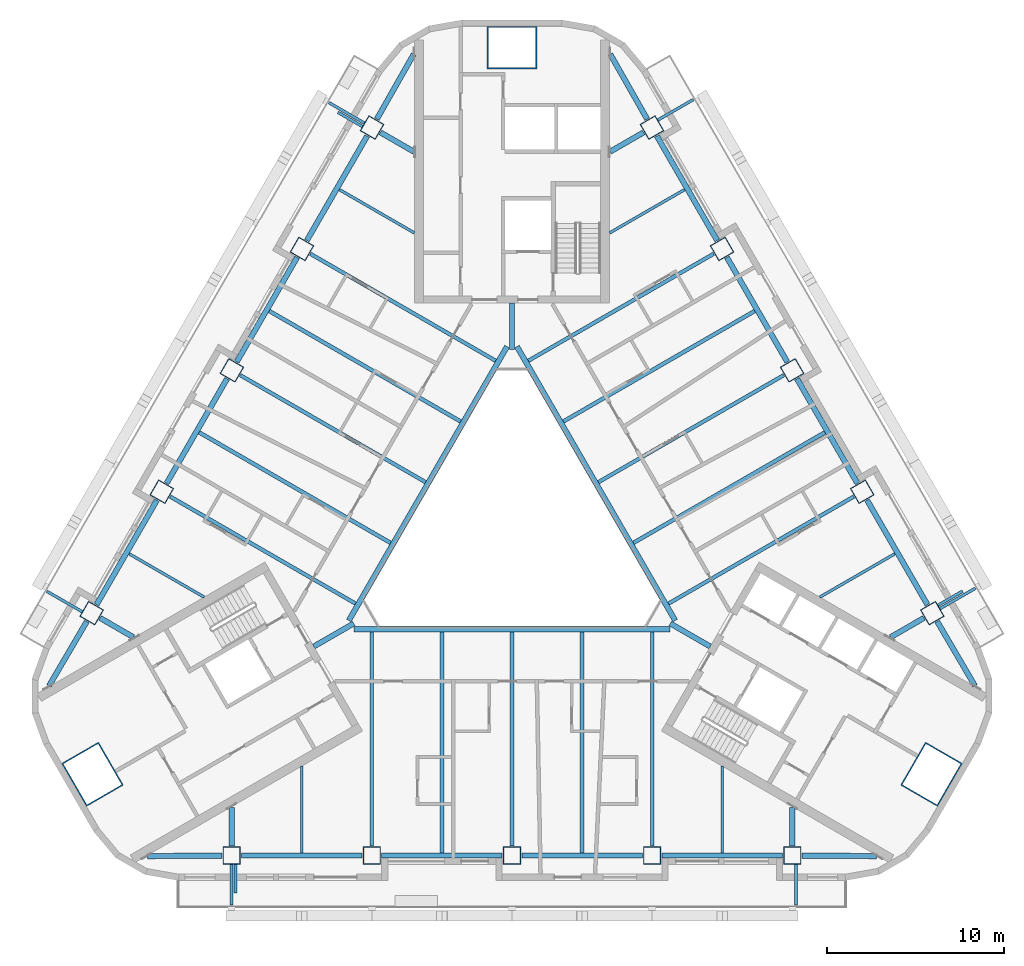
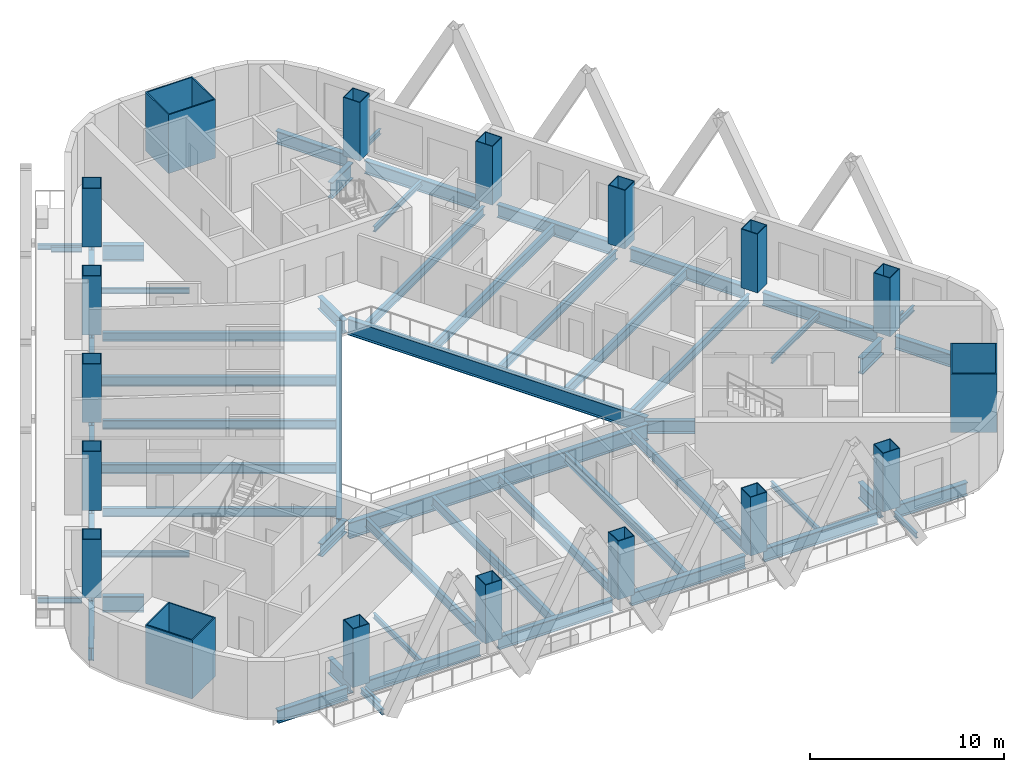
# One storey, part 1 of 17: 36 beams, 24 members, 18 columns.
"""IFC4 building model written with IfcOpenShell, lengths in metres."""

from ifc_helpers import new_model, si_unit, direction, frame, origin, origin_2d, place, context, subcontext, project, spatial, rectangle, hollow_rectangle, i_section, extrude, material, material_profile, profile_set, type_object, element, save


model = new_model("IFC4")

# Units and contexts
model_context = context("Model", 3, precision=1e-05, world=origin(), true_north=direction((0.0, 1.0)))
body_context = subcontext(model_context, "Body", "Model", "MODEL_VIEW")
ifc_project = project(units=[si_unit("LENGTHUNIT", "METRE"), si_unit("AREAUNIT", "SQUARE_METRE"), si_unit("VOLUMEUNIT", "CUBIC_METRE"), si_unit("PLANEANGLEUNIT", "RADIAN"), si_unit("MASSUNIT", "GRAM", prefix="KILO")], contexts=[model_context])

# Site, building, storey
site_placement = place(None, origin())
site = spatial("IfcSite", under=ifc_project, at=site_placement, CompositionType="ELEMENT")
building_placement = place(site_placement, origin())
building = spatial("IfcBuilding", under=site, at=building_placement, Name="Apuvela Tower Hotel", CompositionType="ELEMENT")
storey_placement = place(building_placement, frame((0.0, 0.0, 46.5)))
storey = spatial("IfcBuildingStorey", under=building, at=storey_placement, Name="L08", CompositionType="ELEMENT", Elevation=46.5)

# Columns
ifc_material_1 = material(Name="Steel S460", Category="steel")
ifc_material_profile_1 = material_profile(ifc_material_1, hollow_rectangle(XDim=2.800048828125, YDim=2.39990234375, WallThickness=0.070068359375, at=origin_2d()), Name="BOX 2800x2400x70")
ifc_material_2 = material(Name="Concrete C80/95", Category="concrete")
ifc_material_profile_2 = material_profile(ifc_material_2, rectangle(XDim=2.659912109375, YDim=2.260009765625, at=origin_2d()), Name="Concrete C80/95 infill")
ifc_profile_set_1 = profile_set([ifc_material_profile_1, ifc_material_profile_2], Name="Steel S460")
column_type_1 = type_object("IfcColumnType", Name="STR-MC mega column BOX 2800x2400x70", PredefinedType="COLUMN", material=ifc_profile_set_1)
for number, where, z_axis, x_axis, name in (
    (1, (0.0, 27.300048828125, 0.0), (0.0, 0.0, 1.0), (1.0, 0.0, 0.0), "Mega column MC2 N"),
    (2, (-23.642578125, -13.64990234375, 0.0), (0.0, 0.0, 1.0), (-0.5, 0.866025403784, 0.0), "Mega column MC2 SW"),
    (3, (23.642578125, -13.64990234375, 0.0), (0.0, 0.0, 1.0), (0.5, 0.866025403784, 0.0), "Mega column MC2 SE"),
):
    element("IfcColumn", number, at=place(storey_placement, frame(where, z_axis=z_axis, x_axis=x_axis)), inside=storey, type_object=column_type_1, Name=name, PredefinedType="COLUMN", context=body_context, shape_type="SweptSolid", body=[
        extrude(hollow_rectangle(XDim=2.800048828125, YDim=2.39990234375, WallThickness=0.070068359375, at=origin_2d()), origin(), (0.0, 0.0, 1.0), 3.699951171875),
    ])
ifc_material_profile_3 = material_profile(ifc_material_1, hollow_rectangle(XDim=1.0, YDim=1.0, WallThickness=0.044921875, at=origin_2d()), Name="BOX 1000x1000x45")
ifc_material_profile_4 = material_profile(ifc_material_2, rectangle(XDim=0.909912109375, YDim=0.909912109375, at=origin_2d()), Name="Concrete C80/95 infill")
ifc_profile_set_2 = profile_set([ifc_material_profile_3, ifc_material_profile_4], Name="Steel S460")
column_type_2 = type_object("IfcColumnType", Name="STR-PC perimeter column BOX 1000x1000x45", PredefinedType="COLUMN", material=ifc_profile_set_2)
for number, where, z_axis, x_axis, name in (
    (4, (-15.800048828125, -18.22998046875, 0.0), (0.0, 0.0, 1.0), (-1.0, 0.0, 0.0), "Perimeter column C2 S1"),
    (5, (-7.89990234375, -18.22998046875, 0.0), (0.0, 0.0, 1.0), (-1.0, 0.0, 0.0), "Perimeter column C2 S2"),
    (6, (0.0, -18.22998046875, 0.0), (0.0, 0.0, 1.0), (-1.0, 0.0, 0.0), "Perimeter column C2 S3"),
    (7, (7.89990234375, -18.22998046875, 0.0), (0.0, 0.0, 1.0), (-1.0, 0.0, 0.0), "Perimeter column C2 S4"),
    (8, (15.800048828125, -18.22998046875, 0.0), (0.0, 0.0, 1.0), (-1.0, 0.0, 0.0), "Perimeter column C2 S5"),
    (9, (23.6875, -4.568115234375, 0.0), (0.0, 0.0, 1.0), (-0.5, 0.866025403784, 0.0), "Perimeter column C2 NE1"),
    (10, (19.737548828125, 2.2734375, 0.0), (0.0, 0.0, 1.0), (-0.5, 0.866025403784, 0.0), "Perimeter column C2 NE2"),
    (11, (15.78759765625, 9.114990234375, 0.0), (0.0, 0.0, 1.0), (-0.5, 0.866025403784, 0.0), "Perimeter column C2 NE3"),
    (12, (11.837646484375, 15.95654296875, 0.0), (0.0, 0.0, 1.0), (-0.5, 0.866025403784, 0.0), "Perimeter column C2 NE4"),
    (13, (7.8876953125, 22.798095703125, 0.0), (0.0, 0.0, 1.0), (-0.5, 0.866025403784, 0.0), "Perimeter column C2 NE5"),
    (14, (-7.8876953125, 22.798095703125, 0.0), (0.0, 0.0, 1.0), (0.5, 0.866025403784, 0.0), "Perimeter column C2 NW1"),
    (15, (-11.837646484375, 15.95654296875, 0.0), (0.0, 0.0, 1.0), (0.5, 0.866025403784, 0.0), "Perimeter column C2 NW2"),
    (16, (-15.78759765625, 9.114990234375, 0.0), (0.0, 0.0, 1.0), (0.5, 0.866025403784, 0.0), "Perimeter column C2 NW3"),
    (17, (-19.737548828125, 2.2734375, 0.0), (0.0, 0.0, 1.0), (0.5, 0.866025403784, 0.0), "Perimeter column C2 NW4"),
    (18, (-23.6875, -4.568115234375, 0.0), (0.0, 0.0, 1.0), (0.5, 0.866025403784, 0.0), "Perimeter column C2 NW5"),
):
    element("IfcColumn", number, at=place(storey_placement, frame(where, z_axis=z_axis, x_axis=x_axis)), inside=storey, type_object=column_type_2, Name=name, PredefinedType="COLUMN", context=body_context, shape_type="SweptSolid", body=[
        extrude(hollow_rectangle(XDim=1.0, YDim=1.0, WallThickness=0.044921875, at=origin_2d()), origin(), (0.0, 0.0, 1.0), 3.699951171875),
    ])

# Beams
ifc_material_3 = material(Name="Steel S355", Category="steel")
ifc_material_profile_5 = material_profile(ifc_material_3, i_section(OverallWidth=0.159912109375, OverallDepth=0.330078125, WebThickness=0.007568359375, FlangeThickness=0.011474609375, at=origin_2d()), Name="IPE 330")
ifc_profile_set_3 = profile_set([ifc_material_profile_5], Name="Steel S355")
beam_type_1 = type_object("IfcBeamType", Name="ENV-BALCONY-BEAM-IPE330", PredefinedType="BEAM", material=ifc_profile_set_3)
beam_1_placement = place(storey_placement, frame((-15.800048828125, -18.72998046875, -0.31494140625), z_axis=(0.0, -1.0, 0.0), x_axis=(1.0, 0.0, 0.0)))
element("IfcBeam", 19, at=beam_1_placement, inside=storey, type_object=beam_type_1, Name="Balcony cantilever beam S1 L08", PredefinedType="BEAM", context=body_context, shape_type="SweptSolid", body=[
    extrude(i_section(OverallWidth=0.159912109375, OverallDepth=0.330078125, WebThickness=0.007568359375, FlangeThickness=0.011474609375, at=origin_2d()), origin(), (0.0, 0.0, 1.0), 2.300048828125),
])
beam_2_placement = place(storey_placement, frame((-15.580078125, -18.72998046875, -0.31494140625), z_axis=(0.0, -1.0, 0.0), x_axis=(1.0, 0.0, 0.0)))
element("IfcBeam", 20, at=beam_2_placement, inside=storey, type_object=beam_type_1, Name="Balcony cantilever beam S2 L08", PredefinedType="BEAM", context=body_context, shape_type="SweptSolid", body=[
    extrude(i_section(OverallWidth=0.159912109375, OverallDepth=0.330078125, WebThickness=0.007568359375, FlangeThickness=0.011474609375, at=origin_2d()), origin(), (0.0, 0.0, 1.0), 1.60009765625),
])
for number, where, z_axis, x_axis, name in (
    (21, (16.0, -18.72998046875, -0.31494140625), (0.0, -1.0, 0.0), (1.0, 0.0, 0.0), "Balcony cantilever beam S3 L08"),
    (22, (24.12060546875, -4.318115234375, -0.31494140625), (0.866053019151, 0.499952165731, 0.0), (-0.499952165731, 0.866053019151, 0.0), "Balcony cantilever beam NE1 L08"),
):
    element("IfcBeam", number, at=place(storey_placement, frame(where, z_axis=z_axis, x_axis=x_axis)), inside=storey, type_object=beam_type_1, Name=name, PredefinedType="BEAM", context=body_context, shape_type="SweptSolid", body=[
        extrude(i_section(OverallWidth=0.159912109375, OverallDepth=0.330078125, WebThickness=0.007568359375, FlangeThickness=0.011474609375, at=origin_2d()), origin(), (0.0, 0.0, 1.0), 2.300048828125),
    ])
beam_3_placement = place(storey_placement, frame((24.0107421875, -4.127685546875, -0.31494140625), z_axis=(0.865989903783, 0.500061482766, 0.0), x_axis=(-0.500061482766, 0.865989903783, 0.0)))
element("IfcBeam", 23, at=beam_3_placement, inside=storey, type_object=beam_type_1, Name="Balcony cantilever beam NE2 L08", PredefinedType="BEAM", context=body_context, shape_type="SweptSolid", body=[
    extrude(i_section(OverallWidth=0.159912109375, OverallDepth=0.330078125, WebThickness=0.007568359375, FlangeThickness=0.011474609375, at=origin_2d()), origin(), (0.0, 0.0, 1.0), 1.599853515625),
])
beam_4_placement = place(storey_placement, frame((8.220703125, 23.221435546875, -0.31494140625), z_axis=(0.86602648383, 0.499998129301, 0.0), x_axis=(-0.499998129301, 0.86602648383, 0.0)))
element("IfcBeam", 24, at=beam_4_placement, inside=storey, type_object=beam_type_1, Name="Balcony cantilever beam NE3 L08", PredefinedType="BEAM", context=body_context, shape_type="SweptSolid", body=[
    extrude(i_section(OverallWidth=0.159912109375, OverallDepth=0.330078125, WebThickness=0.007568359375, FlangeThickness=0.011474609375, at=origin_2d()), origin(), (0.0, 0.0, 1.0), 2.2998046875),
])
beam_5_placement = place(storey_placement, frame((-8.32080078125, 23.048095703125, -0.31494140625), z_axis=(-0.865980515519, 0.500077740698, 0.0), x_axis=(-0.500077740698, -0.865980515519, 0.0)))
element("IfcBeam", 25, at=beam_5_placement, inside=storey, type_object=beam_type_1, Name="Balcony cantilever beam NW1 L08", PredefinedType="BEAM", context=body_context, shape_type="SweptSolid", body=[
    extrude(i_section(OverallWidth=0.159912109375, OverallDepth=0.330078125, WebThickness=0.007568359375, FlangeThickness=0.011474609375, at=origin_2d()), origin(), (0.0, 0.0, 1.0), 2.300048828125),
])
beam_6_placement = place(storey_placement, frame((-8.4306640625, 22.857666015625, -0.31494140625), z_axis=(-0.866028054938, 0.499995408039, 0.0), x_axis=(-0.499995408039, -0.866028054938, 0.0)))
element("IfcBeam", 26, at=beam_6_placement, inside=storey, type_object=beam_type_1, Name="Balcony cantilever beam NW2 L08", PredefinedType="BEAM", context=body_context, shape_type="SweptSolid", body=[
    extrude(i_section(OverallWidth=0.159912109375, OverallDepth=0.330078125, WebThickness=0.007568359375, FlangeThickness=0.011474609375, at=origin_2d()), origin(), (0.0, 0.0, 1.0), 1.60009765625),
])
beam_7_placement = place(storey_placement, frame((-24.220703125, -4.491455078125, -0.31494140625), z_axis=(-0.865980515519, 0.500077740698, 0.0), x_axis=(-0.500077740698, -0.865980515519, 0.0)))
element("IfcBeam", 27, at=beam_7_placement, inside=storey, type_object=beam_type_1, Name="Balcony cantilever beam NW3 L08", PredefinedType="BEAM", context=body_context, shape_type="SweptSolid", body=[
    extrude(i_section(OverallWidth=0.159912109375, OverallDepth=0.330078125, WebThickness=0.007568359375, FlangeThickness=0.011474609375, at=origin_2d()), origin(), (0.0, 0.0, 1.0), 2.300048828125),
])
ifc_material_profile_6 = material_profile(ifc_material_3, i_section(OverallWidth=0.159912109375, OverallDepth=0.330078125, WebThickness=0.007568359375, FlangeThickness=0.011474609375, at=origin_2d()), Name="IPE 330")
ifc_profile_set_4 = profile_set([ifc_material_profile_6], Name="Steel S355")
beam_type_2 = type_object("IfcBeamType", Name="STR-B floor beam IPE 330", PredefinedType="BEAM", material=ifc_profile_set_4)
for number, where, z_axis, x_axis, name in (
    (28, (21.581298828125, -1.22314453125, -0.31494140625), (-0.866005010506, -0.500035320531, 0.0), (0.500035320531, -0.866005010506, 0.0), "Floor beam B1 NE2"),
    (29, (9.7314453125, 19.3017578125, -0.31494140625), (-0.866017503598, -0.500013683274, 0.0), (0.500013683274, -0.866017503598, 0.0), "Floor beam B1 NE8"),
    (30, (-9.7314453125, 19.3017578125, -0.31494140625), (0.866017503598, -0.500013683274, 0.0), (0.500013683274, 0.866017503598, 0.0), "Floor beam B1 NW2"),
    (31, (-21.581298828125, -1.22314453125, -0.31494140625), (0.866005010506, -0.500035320531, 0.0), (0.500035320531, 0.866005010506, 0.0), "Floor beam B1 NW8"),
):
    element("IfcBeam", number, at=place(storey_placement, frame(where, z_axis=z_axis, x_axis=x_axis)), inside=storey, type_object=beam_type_2, Name=name, PredefinedType="BEAM", context=body_context, shape_type="SweptSolid", body=[
        extrude(i_section(OverallWidth=0.159912109375, OverallDepth=0.330078125, WebThickness=0.007568359375, FlangeThickness=0.011474609375, at=origin_2d()), origin(), (0.0, 0.0, 1.0), 4.885986328125),
    ])
for number, where, z_axis, x_axis, name in (
    (32, (-11.85009765625, -18.07861328125, -0.31494140625), (0.0, 1.0, 0.0), (-1.0, 0.0, 0.0), "Floor beam B1 S2"),
    (33, (11.85009765625, -18.07861328125, -0.31494140625), (0.0, 1.0, 0.0), (-1.0, 0.0, 0.0), "Floor beam B1 S8"),
):
    element("IfcBeam", number, at=place(storey_placement, frame(where, z_axis=z_axis, x_axis=x_axis)), inside=storey, type_object=beam_type_2, Name=name, PredefinedType="BEAM", context=body_context, shape_type="SweptSolid", body=[
        extrude(i_section(OverallWidth=0.159912109375, OverallDepth=0.330078125, WebThickness=0.007568359375, FlangeThickness=0.011474609375, at=origin_2d()), origin(), (0.0, 0.0, 1.0), 4.88623046875),
    ])
ifc_material_profile_7 = material_profile(ifc_material_3, i_section(OverallWidth=0.2099609375, OverallDepth=0.550048828125, WebThickness=0.010986328125, FlangeThickness=0.01708984375, at=origin_2d()), Name="IPE 550")
ifc_profile_set_5 = profile_set([ifc_material_profile_7], Name="Steel S355")
beam_type_3 = type_object("IfcBeamType", Name="STR-B floor beam IPE 550", PredefinedType="BEAM", material=ifc_profile_set_5)
for number, where, z_axis, x_axis, name in (
    (34, (19.26123046875, 1.998291015625, -0.425048828125), (-0.866029136187, -0.499993535233, 0.0), (0.499993535233, -0.866029136187, 0.0), "Floor beam B7 NE3"),
    (35, (15.311279296875, 8.840087890625, -0.425048828125), (-0.866020368762, -0.500008720812, 0.0), (0.500008720812, -0.866020368762, 0.0), "Floor beam B7 NE5"),
):
    element("IfcBeam", number, at=place(storey_placement, frame(where, z_axis=z_axis, x_axis=x_axis)), inside=storey, type_object=beam_type_3, Name=name, PredefinedType="BEAM", context=body_context, shape_type="SweptSolid", body=[
        extrude(i_section(OverallWidth=0.2099609375, OverallDepth=0.550048828125, WebThickness=0.010986328125, FlangeThickness=0.01708984375, at=origin_2d()), origin(), (0.0, 0.0, 1.0), 12.057861328125),
    ])
for number, where, z_axis, x_axis, name in (
    (36, (11.361328125, 15.681640625, -0.425048828125), (-0.866025430648, -0.499999953472, 0.0), (0.499999953472, -0.866025430648, 0.0), "Floor beam B7 NE7"),
    (37, (-11.361328125, 15.681640625, -0.425048828125), (0.866025430648, -0.499999953472, 0.0), (0.499999953472, 0.866025430648, 0.0), "Floor beam B7 NW3"),
):
    element("IfcBeam", number, at=place(storey_placement, frame(where, z_axis=z_axis, x_axis=x_axis)), inside=storey, type_object=beam_type_3, Name=name, PredefinedType="BEAM", context=body_context, shape_type="SweptSolid", body=[
        extrude(i_section(OverallWidth=0.2099609375, OverallDepth=0.550048828125, WebThickness=0.010986328125, FlangeThickness=0.01708984375, at=origin_2d()), origin(), (0.0, 0.0, 1.0), 12.05810546875),
    ])
for number, where, z_axis, x_axis, name in (
    (38, (-15.311279296875, 8.840087890625, -0.425048828125), (0.866020368762, -0.500008720812, 0.0), (0.500008720812, 0.866020368762, 0.0), "Floor beam B7 NW5"),
    (39, (-19.26123046875, 1.998291015625, -0.425048828125), (0.866029136187, -0.499993535233, 0.0), (0.499993535233, 0.866029136187, 0.0), "Floor beam B7 NW7"),
    (40, (-7.89990234375, -17.679931640625, -0.425048828125), (0.0, 1.0, 0.0), (-1.0, 0.0, 0.0), "Floor beam B7 S3"),
    (41, (0.0, -17.679931640625, -0.425048828125), (0.0, 1.0, 0.0), (-1.0, 0.0, 0.0), "Floor beam B7 S5"),
    (42, (7.89990234375, -17.679931640625, -0.425048828125), (0.0, 1.0, 0.0), (-1.0, 0.0, 0.0), "Floor beam B7 S7"),
):
    element("IfcBeam", number, at=place(storey_placement, frame(where, z_axis=z_axis, x_axis=x_axis)), inside=storey, type_object=beam_type_3, Name=name, PredefinedType="BEAM", context=body_context, shape_type="SweptSolid", body=[
        extrude(i_section(OverallWidth=0.2099609375, OverallDepth=0.550048828125, WebThickness=0.010986328125, FlangeThickness=0.01708984375, at=origin_2d()), origin(), (0.0, 0.0, 1.0), 12.057861328125),
    ])
ifc_material_profile_8 = material_profile(ifc_material_3, i_section(OverallWidth=0.219970703125, OverallDepth=0.60009765625, WebThickness=0.011962890625, FlangeThickness=0.01904296875, at=origin_2d()), Name="IPE 600")
ifc_profile_set_6 = profile_set([ifc_material_profile_8], Name="Steel S355")
beam_type_4 = type_object("IfcBeamType", Name="STR-B floor beam IPE 600", PredefinedType="BEAM", material=ifc_profile_set_6)
for number, where, z_axis, x_axis, name in (
    (43, (17.63134765625, 5.618408203125, -0.449951171875), (-0.866023697878, -0.500002954704, 0.0), (0.500002954704, -0.866023697878, 0.0), "Floor beam B8 NE4"),
    (44, (13.681396484375, 12.460205078125, -0.449951171875), (-0.866015210969, -0.500017654059, 0.0), (0.500017654059, -0.866015210969, 0.0), "Floor beam B8 NE6"),
    (45, (-13.681396484375, 12.460205078125, -0.449951171875), (0.866015210969, -0.500017654059, 0.0), (0.500017654059, 0.866015210969, 0.0), "Floor beam B8 NW4"),
    (46, (-17.63134765625, 5.618408203125, -0.449951171875), (0.866023697878, -0.500002954704, 0.0), (0.500002954704, 0.866023697878, 0.0), "Floor beam B8 NW6"),
    (47, (-3.949951171875, -18.07861328125, -0.449951171875), (0.0, 1.0, 0.0), (-1.0, 0.0, 0.0), "Floor beam B8 S4"),
    (48, (3.949951171875, -18.07861328125, -0.449951171875), (0.0, 1.0, 0.0), (-1.0, 0.0, 0.0), "Floor beam B8 S6"),
):
    element("IfcBeam", number, at=place(storey_placement, frame(where, z_axis=z_axis, x_axis=x_axis)), inside=storey, type_object=beam_type_4, Name=name, PredefinedType="BEAM", context=body_context, shape_type="SweptSolid", body=[
        extrude(i_section(OverallWidth=0.219970703125, OverallDepth=0.60009765625, WebThickness=0.011962890625, FlangeThickness=0.01904296875, at=origin_2d()), origin(), (0.0, 0.0, 1.0), 12.45654296875),
    ])
ifc_material_profile_9 = material_profile(ifc_material_3, i_section(OverallWidth=0.302001953125, OverallDepth=1.008056640625, WebThickness=0.02099609375, FlangeThickness=0.0400390625, at=origin_2d()), Name="HE 1000 M")
ifc_profile_set_7 = profile_set([ifc_material_profile_9], Name="Steel S355")
beam_type_5 = type_object("IfcBeamType", Name="STR-G atrium ring girder HE 1000 M", PredefinedType="BEAM", material=ifc_profile_set_7)
for number, where, z_axis, x_axis, name in (
    (49, (-0.28076171875, 10.455810546875, -0.654052734375), (-0.500000611842, -0.866025050537, 0.0), (0.866025050537, -0.500000611842, 0.0), "Atrium ring girder G1 N-SW"),
    (50, (-8.91455078125, -5.470947265625, -0.654052734375), (1.0, 0.0, 0.0), (0.0, 1.0, 0.0), "Atrium ring girder G1 SW-SE"),
    (51, (9.1953125, -4.984619140625, -0.654052734375), (-0.500000611842, 0.866025050537, 0.0), (-0.866025050537, -0.500000611842, 0.0), "Atrium ring girder G1 SE-N"),
):
    element("IfcBeam", number, at=place(storey_placement, frame(where, z_axis=z_axis, x_axis=x_axis)), inside=storey, type_object=beam_type_5, Name=name, PredefinedType="BEAM", context=body_context, shape_type="SweptSolid", body=[
        extrude(i_section(OverallWidth=0.302001953125, OverallDepth=1.008056640625, WebThickness=0.02099609375, FlangeThickness=0.0400390625, at=origin_2d()), origin(), (0.0, 0.0, 1.0), 17.8291015625),
    ])
ifc_material_profile_10 = material_profile(ifc_material_3, i_section(OverallWidth=0.300048828125, OverallDepth=0.800048828125, WebThickness=0.017578125, FlangeThickness=0.032958984375, at=origin_2d()), Name="HE 800 B")
ifc_profile_set_8 = profile_set([ifc_material_profile_10], Name="Steel S355")
beam_type_6 = type_object("IfcBeamType", Name="STR-GT core tie beam HE 800 B", PredefinedType="BEAM", material=ifc_profile_set_8)
for number, where, z_axis, x_axis, name in (
    (52, (0.0, 12.89990234375, -0.550048828125), (0.0, -1.0, 0.0), (1.0, 0.0, 0.0), "Core tie beam GT1 N"),
    (53, (-11.171630859375, -6.449951171875, -0.550048828125), (0.865997922154, 0.500047596559, 0.0), (-0.500047596559, 0.865997922154, 0.0), "Core tie beam GT1 SW"),
    (54, (11.171630859375, -6.449951171875, -0.550048828125), (-0.865997922154, 0.500047596559, 0.0), (-0.500047596559, -0.865997922154, 0.0), "Core tie beam GT1 SE"),
):
    element("IfcBeam", number, at=place(storey_placement, frame(where, z_axis=z_axis, x_axis=x_axis)), inside=storey, type_object=beam_type_6, Name=name, PredefinedType="BEAM", context=body_context, shape_type="SweptSolid", body=[
        extrude(i_section(OverallWidth=0.300048828125, OverallDepth=0.800048828125, WebThickness=0.017578125, FlangeThickness=0.032958984375, at=origin_2d()), origin(), (0.0, 0.0, 1.0), 2.599853515625),
    ])

# Members
ifc_material_profile_11 = material_profile(ifc_material_3, i_section(OverallWidth=0.302978515625, OverallDepth=0.81396484375, WebThickness=0.02099609375, FlangeThickness=0.0400390625, at=origin_2d()), Name="HE 800 M")
ifc_profile_set_9 = profile_set([ifc_material_profile_11], Name="Steel S355")
member_type_1 = type_object("IfcMemberType", Name="STR-T0 belt truss chord HE 800 M", PredefinedType="CHORD", material=ifc_profile_set_9)
for number, where, z_axis, x_axis, name in (
    (55, (-15.25, -18.22998046875, -0.556884765625), (1.0, 0.0, 0.0), (0.0, 1.0, 0.0), "Belt chord BT1 S1"),
    (56, (-7.35009765625, -18.22998046875, -0.556884765625), (1.0, 0.0, 0.0), (0.0, 1.0, 0.0), "Belt chord BT1 S2"),
    (57, (0.550048828125, -18.22998046875, -0.556884765625), (1.0, 0.0, 0.0), (0.0, 1.0, 0.0), "Belt chord BT1 S3"),
    (58, (8.449951171875, -18.22998046875, -0.556884765625), (1.0, 0.0, 0.0), (0.0, 1.0, 0.0), "Belt chord BT1 S4"),
):
    element("IfcMember", number, at=place(storey_placement, frame(where, z_axis=z_axis, x_axis=x_axis)), inside=storey, type_object=member_type_1, Name=name, PredefinedType="CHORD", context=body_context, shape_type="SweptSolid", body=[
        extrude(i_section(OverallWidth=0.302978515625, OverallDepth=0.81396484375, WebThickness=0.02099609375, FlangeThickness=0.0400390625, at=origin_2d()), origin(), (0.0, 0.0, 1.0), 6.800048828125),
    ])
member_1_placement = place(storey_placement, frame((23.41259765625, -4.091796875, -0.556884765625), z_axis=(-0.499992841449, 0.866029536736, 0.0), x_axis=(-0.866029536736, -0.499992841449, 0.0)))
element("IfcMember", 59, at=member_1_placement, inside=storey, type_object=member_type_1, Name="Belt chord BT1 NE1", PredefinedType="CHORD", context=body_context, shape_type="SweptSolid", body=[
    extrude(i_section(OverallWidth=0.302978515625, OverallDepth=0.81396484375, WebThickness=0.02099609375, FlangeThickness=0.0400390625, at=origin_2d()), origin(), (0.0, 0.0, 1.0), 6.7998046875),
])
for number, where, z_axis, x_axis, name in (
    (60, (19.462646484375, 2.749755859375, -0.556884765625), (-0.500019768644, 0.866013990052, 0.0), (-0.866013990052, -0.500019768644, 0.0), "Belt chord BT1 NE2"),
    (61, (15.5126953125, 9.59130859375, -0.556884765625), (-0.500019768644, 0.866013990052, 0.0), (-0.866013990052, -0.500019768644, 0.0), "Belt chord BT1 NE3"),
    (62, (11.5625, 16.432861328125, -0.556884765625), (-0.499977295307, 0.866038511948, 0.0), (-0.866038511948, -0.499977295307, 0.0), "Belt chord BT1 NE4"),
    (63, (-8.16259765625, 22.322021484375, -0.556884765625), (-0.499977295307, -0.866038511948, 0.0), (0.866038511948, -0.499977295307, 0.0), "Belt chord BT1 NW1"),
    (64, (-12.112548828125, 15.480224609375, -0.556884765625), (-0.500019768644, -0.866013990052, 0.0), (0.866013990052, -0.500019768644, 0.0), "Belt chord BT1 NW2"),
    (65, (-16.0625, 8.638671875, -0.556884765625), (-0.500019768644, -0.866013990052, 0.0), (0.866013990052, -0.500019768644, 0.0), "Belt chord BT1 NW3"),
):
    element("IfcMember", number, at=place(storey_placement, frame(where, z_axis=z_axis, x_axis=x_axis)), inside=storey, type_object=member_type_1, Name=name, PredefinedType="CHORD", context=body_context, shape_type="SweptSolid", body=[
        extrude(i_section(OverallWidth=0.302978515625, OverallDepth=0.81396484375, WebThickness=0.02099609375, FlangeThickness=0.0400390625, at=origin_2d()), origin(), (0.0, 0.0, 1.0), 6.800048828125),
    ])
member_2_placement = place(storey_placement, frame((-20.0126953125, 1.797119140625, -0.556884765625), z_axis=(-0.499992841449, -0.866029536736, 0.0), x_axis=(0.866029536736, -0.499992841449, 0.0)))
element("IfcMember", 66, at=member_2_placement, inside=storey, type_object=member_type_1, Name="Belt chord BT1 NW4", PredefinedType="CHORD", context=body_context, shape_type="SweptSolid", body=[
    extrude(i_section(OverallWidth=0.302978515625, OverallDepth=0.81396484375, WebThickness=0.02099609375, FlangeThickness=0.0400390625, at=origin_2d()), origin(), (0.0, 0.0, 1.0), 6.7998046875),
])
for number, where, z_axis, x_axis, name in (
    (67, (-16.35009765625, -18.23388671875, -0.556884765625), (-0.999976495178, -0.006856317631, 0.0), (0.006856317631, -0.999976495178, 0.0), "Belt chord BT1 S1-SW"),
    (68, (16.35009765625, -18.23388671875, -0.556884765625), (0.999976495178, -0.006856317631, 0.0), (0.006856317631, 0.999976495178, 0.0), "Belt chord BT1 S5-SE"),
):
    element("IfcMember", number, at=place(storey_placement, frame(where, z_axis=z_axis, x_axis=x_axis)), inside=storey, type_object=member_type_1, Name=name, PredefinedType="CHORD", context=body_context, shape_type="SweptSolid", body=[
        extrude(i_section(OverallWidth=0.302978515625, OverallDepth=0.81396484375, WebThickness=0.02099609375, FlangeThickness=0.0400390625, at=origin_2d()), origin(), (0.0, 0.0, 1.0), 4.20166015625),
    ])
for number, where, z_axis, x_axis, name in (
    (69, (23.9658203125, -5.04248046875, -0.556884765625), (0.505943145698, -0.862566828322, 0.0), (0.862566828322, 0.505943145698, 0.0), "Belt chord BT1 NE1-SE"),
    (70, (7.615966796875, 23.2763671875, -0.556884765625), (-0.494041350901, 0.869438407019, 0.0), (-0.869438407019, -0.494041350901, 0.0), "Belt chord BT1 NE5-N"),
    (71, (-7.615966796875, 23.2763671875, -0.556884765625), (0.494041350901, 0.869438407019, 0.0), (-0.869438407019, 0.494041350901, 0.0), "Belt chord BT1 NW1-N"),
    (72, (-23.9658203125, -5.04248046875, -0.556884765625), (-0.505943145698, -0.862566828322, 0.0), (0.862566828322, -0.505943145698, 0.0), "Belt chord BT1 NW5-SW"),
):
    element("IfcMember", number, at=place(storey_placement, frame(where, z_axis=z_axis, x_axis=x_axis)), inside=storey, type_object=member_type_1, Name=name, PredefinedType="CHORD", context=body_context, shape_type="SweptSolid", body=[
        extrude(i_section(OverallWidth=0.302978515625, OverallDepth=0.81396484375, WebThickness=0.02099609375, FlangeThickness=0.0400390625, at=origin_2d()), origin(), (0.0, 0.0, 1.0), 4.201904296875),
    ])
ifc_material_profile_12 = material_profile(ifc_material_3, i_section(OverallWidth=0.302001953125, OverallDepth=1.008056640625, WebThickness=0.02099609375, FlangeThickness=0.0400390625, at=origin_2d()), Name="HE 1000 M")
ifc_profile_set_10 = profile_set([ifc_material_profile_12], Name="Steel S355")
member_type_2 = type_object("IfcMemberType", Name="STR-T0 outrigger truss chord HE 1000 M", PredefinedType="CHORD", material=ifc_profile_set_10)
member_3_placement = place(storey_placement, frame((23.211181640625, -4.84326171875, -0.654052734375), z_axis=(-0.866016227542, -0.500015893381, 0.0), x_axis=(0.500015893381, -0.866016227542, 0.0)))
element("IfcMember", 73, at=member_3_placement, inside=storey, type_object=member_type_2, Name="Outrigger chord OC1 NE1", PredefinedType="CHORD", context=body_context, shape_type="SweptSolid", body=[
    extrude(i_section(OverallWidth=0.302001953125, OverallDepth=1.008056640625, WebThickness=0.02099609375, FlangeThickness=0.0400390625, at=origin_2d()), origin(), (0.0, 0.0, 1.0), 2.16064453125),
])
for number, where, z_axis, x_axis, name in (
    (74, (7.411376953125, 22.523193359375, -0.654052734375), (-0.866044474677, -0.49996696679, 0.0), (0.49996696679, -0.866044474677, 0.0), "Outrigger chord OC1 NE5"),
    (75, (-7.411376953125, 22.523193359375, -0.654052734375), (0.866044474677, -0.49996696679, 0.0), (0.49996696679, 0.866044474677, 0.0), "Outrigger chord OC1 NW1"),
):
    element("IfcMember", number, at=place(storey_placement, frame(where, z_axis=z_axis, x_axis=x_axis)), inside=storey, type_object=member_type_2, Name=name, PredefinedType="CHORD", context=body_context, shape_type="SweptSolid", body=[
        extrude(i_section(OverallWidth=0.302001953125, OverallDepth=1.008056640625, WebThickness=0.02099609375, FlangeThickness=0.0400390625, at=origin_2d()), origin(), (0.0, 0.0, 1.0), 2.160888671875),
    ])
for number, where, z_axis, x_axis, name in (
    (76, (-23.211181640625, -4.84326171875, -0.654052734375), (0.866016227542, -0.500015893381, 0.0), (0.500015893381, 0.866016227542, 0.0), "Outrigger chord OC1 NW5"),
    (77, (-15.800048828125, -17.679931640625, -0.654052734375), (0.0, 1.0, 0.0), (-1.0, 0.0, 0.0), "Outrigger chord OC1 S1"),
    (78, (15.800048828125, -17.679931640625, -0.654052734375), (0.0, 1.0, 0.0), (-1.0, 0.0, 0.0), "Outrigger chord OC1 S5"),
):
    element("IfcMember", number, at=place(storey_placement, frame(where, z_axis=z_axis, x_axis=x_axis)), inside=storey, type_object=member_type_2, Name=name, PredefinedType="CHORD", context=body_context, shape_type="SweptSolid", body=[
        extrude(i_section(OverallWidth=0.302001953125, OverallDepth=1.008056640625, WebThickness=0.02099609375, FlangeThickness=0.0400390625, at=origin_2d()), origin(), (0.0, 0.0, 1.0), 2.16064453125),
    ])

save(model, "model.ifc")
